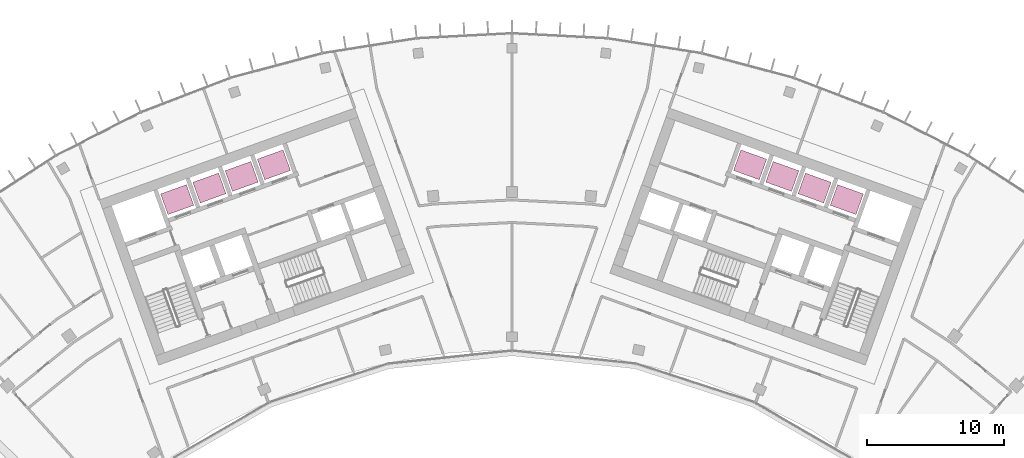
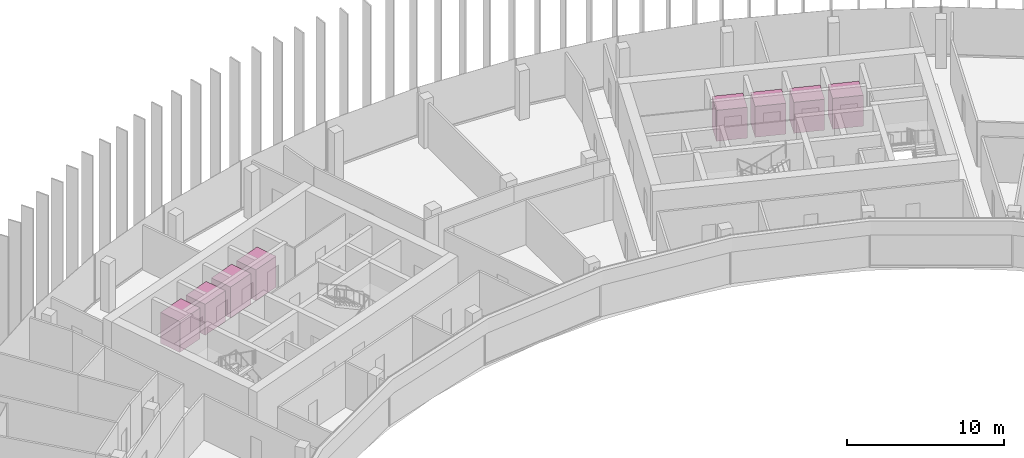
# One storey, part 19 of 19: 8 transport elements.
"""IFC4 building model written with IfcOpenShell, lengths in metres."""

import ifcopenshell
import ifcopenshell.guid

model = None  # the IFC model being written
_history = None  # IfcOwnerHistory: only IFC2X3 demands one
_inside = {}  # id of a spatial element -> (the spatial element, [elements in it])
_under = {}  # id of a project, library or spatial element -> (it, [spatial elements below it])
_declared = {}  # id of a project -> (the project, [libraries it declares])
_typed = {}  # id of a type object -> (the type object, [elements of that type])
_made_of = {}  # id of a material, layer set ... -> (it, [elements and type objects made of it])


def new_model(schema):
    """Start an empty IFC model of exactly this schema.

    Asked for "IFC4X3", IfcOpenShell would pick the latest addendum, in which some entities
    have other attributes; the version numbers below select the first issue.
    IFC2X3 requires an IfcOwnerHistory on every rooted entity: one is made here for all.
    """
    global model, _history
    if schema == "IFC4X3":
        model = ifcopenshell.file(schema_version=(4, 3, 0, 0))
    else:
        model = ifcopenshell.file(schema=schema)
    _inside.clear()
    _under.clear()
    _declared.clear()
    _typed.clear()
    _made_of.clear()
    _history = None
    if model.schema == "IFC2X3":
        org = make("IfcOrganization", Name="unknown")
        user = make(
            "IfcPersonAndOrganization",
            ThePerson=make("IfcPerson", FamilyName="unknown"),
            TheOrganization=org,
        )
        app = make(
            "IfcApplication",
            ApplicationDeveloper=org,
            Version="unknown",
            ApplicationFullName="unknown",
            ApplicationIdentifier="unknown",
        )
        _history = make(
            "IfcOwnerHistory",
            OwningUser=user,
            OwningApplication=app,
            ChangeAction="ADDED",
            CreationDate=0,
        )
    return model


def make(cls, **values):
    """One entity of the class cls with the attributes given. An attribute that is None is left unset."""
    return model.create_entity(
        cls, **{name: value for name, value in values.items() if value is not None}
    )


def rooted(cls, **values):
    """An entity with a GlobalId (a new one), such as an element, a storey or a relation."""
    return make(cls, GlobalId=ifcopenshell.guid.new(), OwnerHistory=_history, **values)


def si_unit(unit_type, name, prefix=None):
    """IfcSIUnit, for example si_unit("LENGTHUNIT", "METRE", prefix="MILLI")."""
    return make("IfcSIUnit", UnitType=unit_type, Prefix=prefix, Name=name)


def assignment(units):
    """IfcUnitAssignment: the units of a project."""
    return None if units is None else make("IfcUnitAssignment", Units=units)


def point(xyz):
    """IfcCartesianPoint."""
    return None if xyz is None else make("IfcCartesianPoint", Coordinates=xyz)


def direction(xyz):
    """IfcDirection."""
    return None if xyz is None else make("IfcDirection", DirectionRatios=xyz)


def frame(location, z_axis=None, x_axis=None):
    """IfcAxis2Placement3D, a coordinate frame: its origin and axes. An axis left out is left unset."""
    return make(
        "IfcAxis2Placement3D",
        Location=point(location),
        Axis=direction(z_axis),
        RefDirection=direction(x_axis),
    )


def frame_2d(location, x_axis=None):
    """IfcAxis2Placement2D, a coordinate frame in the plane: its origin and x axis."""
    return make(
        "IfcAxis2Placement2D", Location=point(location), RefDirection=direction(x_axis)
    )


def origin():
    """The frame at (0, 0, 0) with its axes left unset."""
    return frame((0.0, 0.0, 0.0))


def origin_2d():
    """The frame at (0, 0) in the plane with its x axis left unset."""
    return frame_2d((0.0, 0.0))


def place(relative_to, where):
    """IfcLocalPlacement: puts the frame where relative to a parent placement (None: the world)."""
    return make(
        "IfcLocalPlacement", PlacementRelTo=relative_to, RelativePlacement=where
    )


def context(
    kind, dimensions, precision=None, world=None, true_north=None, identifier=None
):
    """IfcGeometricRepresentationContext, for example the 3D "Model" context."""
    return make(
        "IfcGeometricRepresentationContext",
        ContextIdentifier=identifier,
        ContextType=kind,
        CoordinateSpaceDimension=dimensions,
        Precision=precision,
        WorldCoordinateSystem=world,
        TrueNorth=true_north,
    )


def subcontext(parent, identifier, kind, view, scale=None):
    """IfcGeometricRepresentationSubContext, for example "Body" below "Model"."""
    return make(
        "IfcGeometricRepresentationSubContext",
        ContextIdentifier=identifier,
        ContextType=kind,
        ParentContext=parent,
        TargetScale=scale,
        TargetView=view,
    )


def project(units=None, contexts=None):
    """IfcProject with its units and contexts."""
    return rooted(
        "IfcProject",
        Name="project",
        RepresentationContexts=contexts,
        UnitsInContext=assignment(units),
    )


def spatial(cls, under=None, at=None, **own):
    """A site, building, storey or space (cls), placed at a placement, below another one or the project."""
    s = rooted(cls, ObjectPlacement=at, **own)
    if under is not None:
        _under.setdefault(under.id(), (under, []))[1].append(s)
    return s


def profile(cls, at=None, kind="AREA", **sizes):
    """A parametric profile (cls). Its sizes go by their IFC names, for example OverallWidth=200.0."""
    return make(cls, ProfileType=kind, Position=at, **sizes)


def rectangle(**sizes):
    """IfcRectangleProfileDef."""
    return profile("IfcRectangleProfileDef", **sizes)


def extrude(swept, where, along, depth):
    """IfcExtrudedAreaSolid: the profile swept, set in the frame where, extruded along a direction by depth."""
    return make(
        "IfcExtrudedAreaSolid",
        SweptArea=swept,
        Position=where,
        ExtrudedDirection=direction(along),
        Depth=depth,
    )


def shape(context_of_items, identifier, shape_type, items):
    """IfcShapeRepresentation: the items that make up one representation, for example the "Body"."""
    return make(
        "IfcShapeRepresentation",
        ContextOfItems=context_of_items,
        RepresentationIdentifier=identifier,
        RepresentationType=shape_type,
        Items=items,
    )


def material(Name=None, Category=None):
    """IfcMaterial."""
    return make("IfcMaterial", Name=Name, Category=Category)


def made_of(thing, what):
    """Note that an element or type object is made of a material, layer set ...; save() writes the relation."""
    if what is not None:
        _made_of.setdefault(what.id(), (what, []))[1].append(thing)
    return thing


def type_object(cls, material=None, **own):
    """A type object (cls), such as IfcWallType, which elements share."""
    return made_of(rooted(cls, **own), material)


def element(
    cls,
    number,
    at=None,
    inside=None,
    cuts=None,
    type_object=None,
    material=None,
    context=None,
    identifier="Body",
    shape_type=None,
    held_by="IfcProductDefinitionShape",
    body=None,
    shapes=None,
    **own,
):
    """One element of the class cls, such as IfcWall. Its Tag is "e" and its number.

    at: its placement. inside: the storey or other place that contains it. cuts: it is an
    opening in that element (IfcRelVoidsElement). A single representation is given by context,
    identifier, shape_type and body (its items); several are given by shapes. held_by: the class
    of the entity that holds the representations. save() writes the other relations.
    """
    e = rooted(cls, Tag="e%d" % number, ObjectPlacement=at, **own)
    if body is not None:
        shapes = [shape(context, identifier, shape_type, body)]
    if shapes is not None:
        e.Representation = make(held_by, Representations=shapes)
    if inside is not None:
        _inside.setdefault(inside.id(), (inside, []))[1].append(e)
    if cuts is not None:
        rooted(
            "IfcRelVoidsElement", RelatingBuildingElement=cuts, RelatedOpeningElement=e
        )
    if type_object is not None:
        _typed.setdefault(type_object.id(), (type_object, []))[1].append(e)
    return made_of(e, material)


def aggregate(whole, parts):
    """IfcRelAggregates: a whole, such as a stair, and the parts it consists of."""
    return rooted("IfcRelAggregates", RelatingObject=whole, RelatedObjects=parts)


def save(model, path):
    """Write the relations noted so far, then the file.

    IfcRelAggregates (storeys below a building ...), IfcRelContainedInSpatialStructure (elements
    in a storey), IfcRelDefinesByType, IfcRelAssociatesMaterial and IfcRelDeclares: one each for
    every whole, place, type object, material and project.
    """
    for whole, parts in _under.values():
        aggregate(whole, parts)
    for where, things in _inside.values():
        rooted(
            "IfcRelContainedInSpatialStructure",
            RelatedElements=things,
            RelatingStructure=where,
        )
    for kind, things in _typed.values():
        rooted("IfcRelDefinesByType", RelatedObjects=things, RelatingType=kind)
    for what, things in _made_of.values():
        rooted("IfcRelAssociatesMaterial", RelatedObjects=things, RelatingMaterial=what)
    for by, libraries in _declared.values():
        rooted("IfcRelDeclares", RelatingContext=by, RelatedDefinitions=libraries)
    model.write(path)


model = new_model("IFC4")

# Units and contexts
model_context = context("Model", 3, precision=1e-05, world=origin(), true_north=direction((0.0, 1.0)))
body_context = subcontext(model_context, "Body", "Model", "MODEL_VIEW")
ifc_project = project(units=[si_unit("LENGTHUNIT", "METRE"), si_unit("AREAUNIT", "SQUARE_METRE"), si_unit("VOLUMEUNIT", "CUBIC_METRE"), si_unit("PLANEANGLEUNIT", "RADIAN"), si_unit("MASSUNIT", "GRAM", prefix="KILO")], contexts=[model_context])

# Site, building, storey
site_placement = place(None, origin())
site = spatial("IfcSite", under=ifc_project, at=site_placement, CompositionType="ELEMENT")
building_placement = place(site_placement, origin())
building = spatial("IfcBuilding", under=site, at=building_placement, Name="Stone Belt Terrace Tower", CompositionType="ELEMENT")
storey_placement = place(building_placement, frame((0.0, 0.0, 258.0)))
storey = spatial("IfcBuildingStorey", under=building, at=storey_placement, Name="L62", CompositionType="ELEMENT", Elevation=258.0)

# Transport elements
ifc_material = material(Name="Stainless steel 316", Category="steel")
transport_element_type = type_object("IfcTransportElementType", Name="Passenger lift car 2000x1600", PredefinedType="ELEVATOR", material=ifc_material)
for number, where, z_axis, x_axis, name in (
    (1, (-24.42919921875, 54.444091796875, 0.0), (0.0, 0.0, 1.0), (0.940921555566, 0.338624609665, 0.0), "HR1A"),
    (2, (-22.076904296875, 55.290771484375, 0.0), (0.0, 0.0, 1.0), (0.940921555566, 0.338624609665, 0.0), "HR2A"),
    (3, (-19.724609375, 56.13720703125, 0.0), (0.0, 0.0, 1.0), (0.940921555566, 0.338624609665, 0.0), "HR3A"),
    (4, (-17.372314453125, 56.98388671875, 0.0), (0.0, 0.0, 1.0), (0.940921555566, 0.338624609665, 0.0), "HR4A"),
    (5, (24.42919921875, 54.444091796875, 0.0), (0.0, 0.0, 1.0), (-0.940921555566, 0.338624609665, 0.0), "HR1B"),
    (6, (22.076904296875, 55.290771484375, 0.0), (0.0, 0.0, 1.0), (-0.940921555566, 0.338624609665, 0.0), "HR2B"),
    (7, (19.724609375, 56.13720703125, 0.0), (0.0, 0.0, 1.0), (-0.940921555566, 0.338624609665, 0.0), "HR3B"),
    (8, (17.372314453125, 56.98388671875, 0.0), (0.0, 0.0, 1.0), (-0.940921555566, 0.338624609665, 0.0), "HR4B"),
):
    element("IfcTransportElement", number, at=place(storey_placement, frame(where, z_axis=z_axis, x_axis=x_axis)), inside=storey, type_object=transport_element_type, Name=name, PredefinedType="ELEVATOR", context=body_context, shape_type="SweptSolid", body=[
        extrude(rectangle(XDim=2.0, YDim=1.60009765625, at=origin_2d()), origin(), (0.0, 0.0, 1.0), 2.39990234375),
    ])

save(model, "model.ifc")
